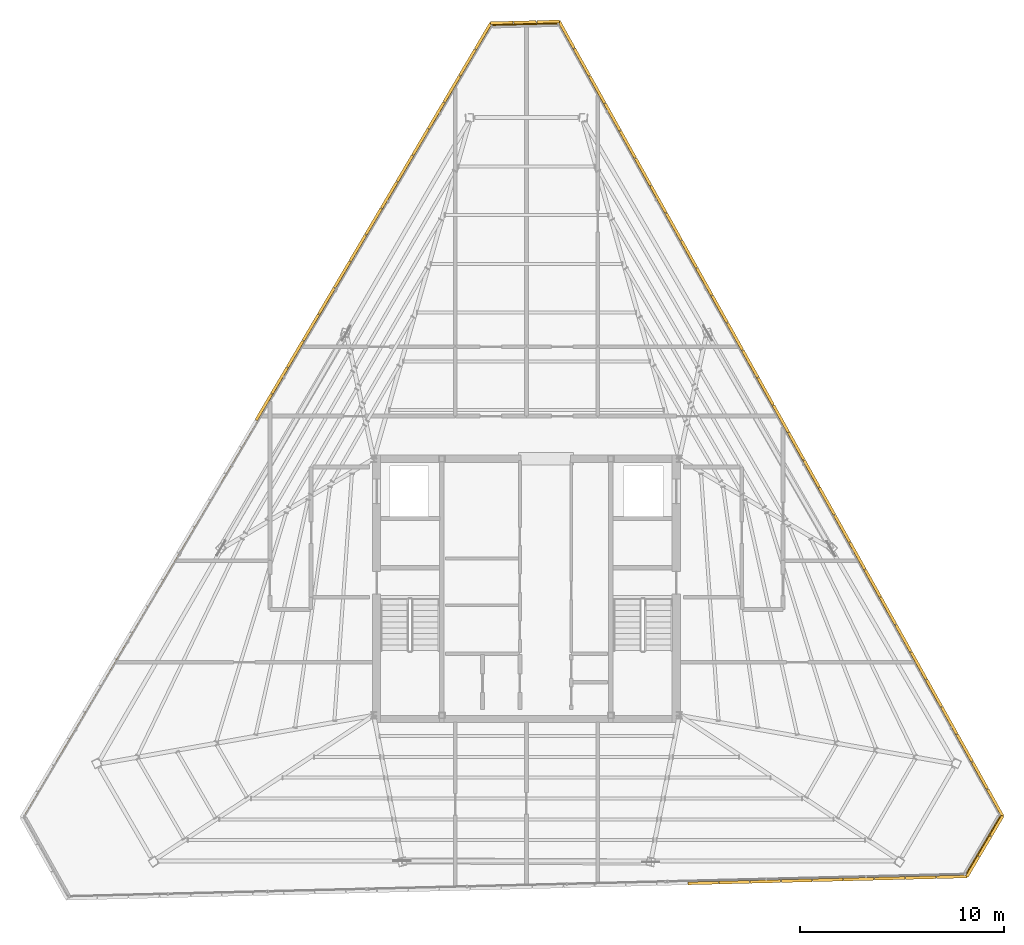
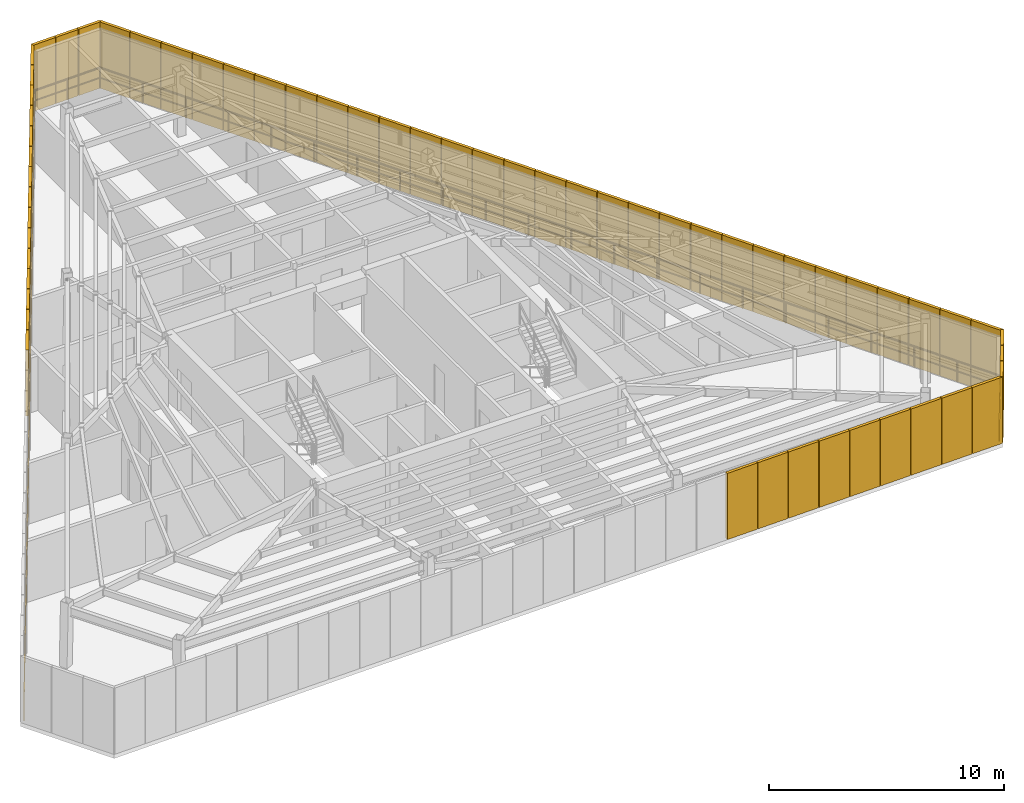
# One storey, part 48 of 48: 59 shading devices, 4 railings.
"""IFC4 building model written with IfcOpenShell, lengths in metres."""

from ifc_helpers import new_model, si_unit, direction, frame, origin, origin_2d, place, context, subcontext, project, spatial, rectangle, extrude, source, transform, mapped, material, layer, layer_set, type_object, type_shapes, element, save


model = new_model("IFC4")

# Units and contexts
model_context = context("Model", 3, precision=1e-05, world=origin(), true_north=direction((0.0, 1.0)))
body_context = subcontext(model_context, "Body", "Model", "MODEL_VIEW")
ifc_project = project(units=[si_unit("LENGTHUNIT", "METRE"), si_unit("AREAUNIT", "SQUARE_METRE"), si_unit("VOLUMEUNIT", "CUBIC_METRE"), si_unit("PLANEANGLEUNIT", "RADIAN"), si_unit("MASSUNIT", "GRAM", prefix="KILO")], contexts=[model_context])

# Site, building, storey
site_placement = place(None, origin())
site = spatial("IfcSite", under=ifc_project, at=site_placement, CompositionType="ELEMENT")
building_placement = place(site_placement, origin())
building = spatial("IfcBuilding", under=site, at=building_placement, Name="Caelisora Broadcast Tower", CompositionType="ELEMENT")
storey_placement = place(building_placement, frame((0.0, 0.0, 300.0)))
storey = spatial("IfcBuildingStorey", under=building, at=storey_placement, Name="L79", CompositionType="ELEMENT", Elevation=300.0)

# Railings
ifc_material_1 = material(Name="Galvanised Steel Safety Guardrail", Category="steel")
ifc_layer_1 = layer(ifc_material_1, 0.048095703125, Name="Galvanised Steel Safety Guardrail")
ifc_layer_set_1 = layer_set([ifc_layer_1], Name="Galvanised Steel Safety Guardrail")
railing_type = type_object("IfcRailingType", Name="GR-1", PredefinedType="GUARDRAIL", material=ifc_layer_set_1)
railing_1_placement = place(storey_placement, frame((39.548095703125, 51.381103515625, 0.0)))
element("IfcRailing", 1, at=railing_1_placement, inside=storey, type_object=railing_type, Name="L79 balustrade GR-1 #01", PredefinedType="GUARDRAIL", context=body_context, shape_type="SweptSolid", body=[
    extrude(rectangle(XDim=0.048095703125, YDim=0.048095703125, at=origin_2d()), frame((0.0, 0.0, 1.076171875), z_axis=(0.487328386617, -0.873218783351, 0.0), x_axis=(0.873218783351, 0.487328386617, 0.0)), (0.0, 0.0, 1.0), 44.58349609375),
    extrude(rectangle(XDim=0.03125, YDim=0.03125, at=origin_2d()), frame((0.0, 0.0, 0.550048828125), z_axis=(0.487328386617, -0.873218783351, 0.0), x_axis=(0.873218783351, 0.487328386617, 0.0)), (0.0, 0.0, 1.0), 44.58349609375),
    extrude(rectangle(XDim=0.0419921875, YDim=0.0419921875, at=origin_2d()), origin(), (0.0, 0.0, 1.0), 1.052001953125),
    extrude(rectangle(XDim=0.0419921875, YDim=0.0419921875, at=origin_2d()), frame((1.03466796875, -1.853759765625, 0.0)), (0.0, 0.0, 1.0), 1.052001953125),
    extrude(rectangle(XDim=0.0419921875, YDim=0.0419921875, at=origin_2d()), frame((2.0693359375, -3.707763671875, 0.0)), (0.0, 0.0, 1.0), 1.052001953125),
    extrude(rectangle(XDim=0.0419921875, YDim=0.0419921875, at=origin_2d()), frame((3.103759765625, -5.5615234375, 0.0)), (0.0, 0.0, 1.0), 1.052001953125),
    extrude(rectangle(XDim=0.0419921875, YDim=0.0419921875, at=origin_2d()), frame((4.138427734375, -7.41552734375, 0.0)), (0.0, 0.0, 1.0), 1.052001953125),
    extrude(rectangle(XDim=0.0419921875, YDim=0.0419921875, at=origin_2d()), frame((5.173095703125, -9.269287109375, 0.0)), (0.0, 0.0, 1.0), 1.052001953125),
    extrude(rectangle(XDim=0.0419921875, YDim=0.0419921875, at=origin_2d()), frame((6.207763671875, -11.123291015625, 0.0)), (0.0, 0.0, 1.0), 1.052001953125),
    extrude(rectangle(XDim=0.0419921875, YDim=0.0419921875, at=origin_2d()), frame((7.2421875, -12.97705078125, 0.0)), (0.0, 0.0, 1.0), 1.052001953125),
    extrude(rectangle(XDim=0.0419921875, YDim=0.0419921875, at=origin_2d()), frame((8.27685546875, -14.830810546875, 0.0)), (0.0, 0.0, 1.0), 1.052001953125),
    extrude(rectangle(XDim=0.0419921875, YDim=0.0419921875, at=origin_2d()), frame((9.3115234375, -16.684814453125, 0.0)), (0.0, 0.0, 1.0), 1.052001953125),
    extrude(rectangle(XDim=0.0419921875, YDim=0.0419921875, at=origin_2d()), frame((10.34619140625, -18.53857421875, 0.0)), (0.0, 0.0, 1.0), 1.052001953125),
    extrude(rectangle(XDim=0.0419921875, YDim=0.0419921875, at=origin_2d()), frame((11.380615234375, -20.392578125, 0.0)), (0.0, 0.0, 1.0), 1.052001953125),
    extrude(rectangle(XDim=0.0419921875, YDim=0.0419921875, at=origin_2d()), frame((12.415283203125, -22.246337890625, 0.0)), (0.0, 0.0, 1.0), 1.052001953125),
    extrude(rectangle(XDim=0.0419921875, YDim=0.0419921875, at=origin_2d()), frame((13.449951171875, -24.100341796875, 0.0)), (0.0, 0.0, 1.0), 1.052001953125),
    extrude(rectangle(XDim=0.0419921875, YDim=0.0419921875, at=origin_2d()), frame((14.484619140625, -25.9541015625, 0.0)), (0.0, 0.0, 1.0), 1.052001953125),
    extrude(rectangle(XDim=0.0419921875, YDim=0.0419921875, at=origin_2d()), frame((15.51904296875, -27.807861328125, 0.0)), (0.0, 0.0, 1.0), 1.052001953125),
    extrude(rectangle(XDim=0.0419921875, YDim=0.0419921875, at=origin_2d()), frame((16.5537109375, -29.661865234375, 0.0)), (0.0, 0.0, 1.0), 1.052001953125),
    extrude(rectangle(XDim=0.0419921875, YDim=0.0419921875, at=origin_2d()), frame((17.58837890625, -31.515625, 0.0)), (0.0, 0.0, 1.0), 1.052001953125),
    extrude(rectangle(XDim=0.0419921875, YDim=0.0419921875, at=origin_2d()), frame((18.623046875, -33.36962890625, 0.0)), (0.0, 0.0, 1.0), 1.052001953125),
    extrude(rectangle(XDim=0.0419921875, YDim=0.0419921875, at=origin_2d()), frame((19.657470703125, -35.223388671875, 0.0)), (0.0, 0.0, 1.0), 1.052001953125),
    extrude(rectangle(XDim=0.0419921875, YDim=0.0419921875, at=origin_2d()), frame((20.692138671875, -37.077392578125, 0.0)), (0.0, 0.0, 1.0), 1.052001953125),
    extrude(rectangle(XDim=0.0419921875, YDim=0.0419921875, at=origin_2d()), frame((21.726806640625, -38.93115234375, 0.0)), (0.0, 0.0, 1.0), 1.052001953125),
])
railing_2_placement = place(storey_placement, frame((61.27490234375, 12.449951171875, 0.0)))
element("IfcRailing", 2, at=railing_2_placement, inside=storey, type_object=railing_type, Name="L79 balustrade GR-1 #02", PredefinedType="GUARDRAIL", context=body_context, shape_type="SweptSolid", body=[
    extrude(rectangle(XDim=0.048095703125, YDim=0.048095703125, at=origin_2d()), frame((0.0, 0.0, 1.076171875), z_axis=(-0.508978632909, -0.860779153582, 0.0), x_axis=(0.860779153582, -0.508978632909, 0.0)), (0.0, 0.0, 1.0), 3.331787109375),
    extrude(rectangle(XDim=0.03125, YDim=0.03125, at=origin_2d()), frame((0.0, 0.0, 0.550048828125), z_axis=(-0.508978632909, -0.860779153582, 0.0), x_axis=(0.860779153582, -0.508978632909, 0.0)), (0.0, 0.0, 1.0), 3.331787109375),
    extrude(rectangle(XDim=0.0419921875, YDim=0.0419921875, at=origin_2d()), origin(), (0.0, 0.0, 1.0), 1.052001953125),
    extrude(rectangle(XDim=0.0419921875, YDim=0.0419921875, at=origin_2d()), frame((-0.847900390625, -1.43408203125, 0.0)), (0.0, 0.0, 1.0), 1.052001953125),
    extrude(rectangle(XDim=0.0419921875, YDim=0.0419921875, at=origin_2d()), frame((-1.69580078125, -2.867919921875, 0.0)), (0.0, 0.0, 1.0), 1.052001953125),
])
railing_3_placement = place(storey_placement, frame((13.302978515625, 12.385986328125, 0.0)))
element("IfcRailing", 3, at=railing_3_placement, inside=storey, type_object=railing_type, Name="L79 balustrade GR-1 #05", PredefinedType="GUARDRAIL", context=body_context, shape_type="SweptSolid", body=[
    extrude(rectangle(XDim=0.048095703125, YDim=0.048095703125, at=origin_2d()), frame((0.0, 0.0, 1.076171875), z_axis=(0.508839209159, 0.860861579595, 0.0), x_axis=(-0.860861579595, 0.508839209159, 0.0)), (0.0, 0.0, 1.0), 45.204833984375),
    extrude(rectangle(XDim=0.03125, YDim=0.03125, at=origin_2d()), frame((0.0, 0.0, 0.550048828125), z_axis=(0.508839209159, 0.860861579595, 0.0), x_axis=(-0.860861579595, 0.508839209159, 0.0)), (0.0, 0.0, 1.0), 45.204833984375),
    extrude(rectangle(XDim=0.0419921875, YDim=0.0419921875, at=origin_2d()), origin(), (0.0, 0.0, 1.0), 1.052001953125),
    extrude(rectangle(XDim=0.0419921875, YDim=0.0419921875, at=origin_2d()), frame((1.09521484375, 1.85302734375, 0.0)), (0.0, 0.0, 1.0), 1.052001953125),
    extrude(rectangle(XDim=0.0419921875, YDim=0.0419921875, at=origin_2d()), frame((2.190673828125, 3.706298828125, 0.0)), (0.0, 0.0, 1.0), 1.052001953125),
    extrude(rectangle(XDim=0.0419921875, YDim=0.0419921875, at=origin_2d()), frame((3.285888671875, 5.559326171875, 0.0)), (0.0, 0.0, 1.0), 1.052001953125),
    extrude(rectangle(XDim=0.0419921875, YDim=0.0419921875, at=origin_2d()), frame((4.38134765625, 7.412353515625, 0.0)), (0.0, 0.0, 1.0), 1.052001953125),
    extrude(rectangle(XDim=0.0419921875, YDim=0.0419921875, at=origin_2d()), frame((5.4765625, 9.265380859375, 0.0)), (0.0, 0.0, 1.0), 1.052001953125),
    extrude(rectangle(XDim=0.0419921875, YDim=0.0419921875, at=origin_2d()), frame((6.572021484375, 11.11865234375, 0.0)), (0.0, 0.0, 1.0), 1.052001953125),
    extrude(rectangle(XDim=0.0419921875, YDim=0.0419921875, at=origin_2d()), frame((7.667236328125, 12.9716796875, 0.0)), (0.0, 0.0, 1.0), 1.052001953125),
    extrude(rectangle(XDim=0.0419921875, YDim=0.0419921875, at=origin_2d()), frame((8.7626953125, 14.82470703125, 0.0)), (0.0, 0.0, 1.0), 1.052001953125),
    extrude(rectangle(XDim=0.0419921875, YDim=0.0419921875, at=origin_2d()), frame((9.85791015625, 16.677978515625, 0.0)), (0.0, 0.0, 1.0), 1.052001953125),
    extrude(rectangle(XDim=0.0419921875, YDim=0.0419921875, at=origin_2d()), frame((10.953369140625, 18.531005859375, 0.0)), (0.0, 0.0, 1.0), 1.052001953125),
    extrude(rectangle(XDim=0.0419921875, YDim=0.0419921875, at=origin_2d()), frame((12.048583984375, 20.384033203125, 0.0)), (0.0, 0.0, 1.0), 1.052001953125),
    extrude(rectangle(XDim=0.0419921875, YDim=0.0419921875, at=origin_2d()), frame((13.14404296875, 22.237060546875, 0.0)), (0.0, 0.0, 1.0), 1.052001953125),
    extrude(rectangle(XDim=0.0419921875, YDim=0.0419921875, at=origin_2d()), frame((14.2392578125, 24.09033203125, 0.0)), (0.0, 0.0, 1.0), 1.052001953125),
    extrude(rectangle(XDim=0.0419921875, YDim=0.0419921875, at=origin_2d()), frame((15.334716796875, 25.943359375, 0.0)), (0.0, 0.0, 1.0), 1.052001953125),
    extrude(rectangle(XDim=0.0419921875, YDim=0.0419921875, at=origin_2d()), frame((16.429931640625, 27.79638671875, 0.0)), (0.0, 0.0, 1.0), 1.052001953125),
    extrude(rectangle(XDim=0.0419921875, YDim=0.0419921875, at=origin_2d()), frame((17.525390625, 29.649658203125, 0.0)), (0.0, 0.0, 1.0), 1.052001953125),
    extrude(rectangle(XDim=0.0419921875, YDim=0.0419921875, at=origin_2d()), frame((18.62060546875, 31.502685546875, 0.0)), (0.0, 0.0, 1.0), 1.052001953125),
    extrude(rectangle(XDim=0.0419921875, YDim=0.0419921875, at=origin_2d()), frame((19.716064453125, 33.355712890625, 0.0)), (0.0, 0.0, 1.0), 1.052001953125),
    extrude(rectangle(XDim=0.0419921875, YDim=0.0419921875, at=origin_2d()), frame((20.811279296875, 35.208740234375, 0.0)), (0.0, 0.0, 1.0), 1.052001953125),
    extrude(rectangle(XDim=0.0419921875, YDim=0.0419921875, at=origin_2d()), frame((21.90673828125, 37.06201171875, 0.0)), (0.0, 0.0, 1.0), 1.052001953125),
    extrude(rectangle(XDim=0.0419921875, YDim=0.0419921875, at=origin_2d()), frame((23.001953125, 38.9150390625, 0.0)), (0.0, 0.0, 1.0), 1.052001953125),
])
railing_4_placement = place(storey_placement, frame((36.304931640625, 51.301025390625, 0.0)))
element("IfcRailing", 4, at=railing_4_placement, inside=storey, type_object=railing_type, Name="L79 balustrade GR-1 #06", PredefinedType="GUARDRAIL", context=body_context, shape_type="SweptSolid", body=[
    extrude(rectangle(XDim=0.048095703125, YDim=0.048095703125, at=origin_2d()), frame((0.0, 0.0, 1.076171875), z_axis=(0.999695307732, 0.024683834759, 0.0), x_axis=(-0.024683834759, 0.999695307732, 0.0)), (0.0, 0.0, 1.0), 3.244140625),
    extrude(rectangle(XDim=0.03125, YDim=0.03125, at=origin_2d()), frame((0.0, 0.0, 0.550048828125), z_axis=(0.999695307732, 0.024683834759, 0.0), x_axis=(-0.024683834759, 0.999695307732, 0.0)), (0.0, 0.0, 1.0), 3.244140625),
    extrude(rectangle(XDim=0.0419921875, YDim=0.0419921875, at=origin_2d()), origin(), (0.0, 0.0, 1.0), 1.052001953125),
    extrude(rectangle(XDim=0.0419921875, YDim=0.0419921875, at=origin_2d()), frame((1.62158203125, 0.0400390625, 0.0)), (0.0, 0.0, 1.0), 1.052001953125),
    extrude(rectangle(XDim=0.0419921875, YDim=0.0419921875, at=origin_2d()), frame((3.2431640625, 0.080078125, 0.0)), (0.0, 0.0, 1.0), 1.052001953125),
])

# Shading devices
ifc_material_2 = material(Name="Anodised Terracotta Aluminium Acoustic Louvre", Category="aluminium")
ifc_layer_2 = layer(ifc_material_2, 0.139892578125, Name="Anodised Terracotta Aluminium Acoustic Louvre")
ifc_layer_set_2 = layer_set([ifc_layer_2], Name="Anodised Terracotta Aluminium Acoustic Louvre")
shading_device_type = type_object("IfcShadingDeviceType", Name="LV-1", PredefinedType="JALOUSIE", material=ifc_layer_set_2)
shared_shape_1 = source(origin(), body_context, "Body", "SweptSolid", [
    extrude(rectangle(XDim=1.105224609375, YDim=0.139892578125, at=origin_2d()), origin(), (0.0, 0.0, 1.0), 3.43994140625),
])
for number, where, z_axis, x_axis, name in (
    (5, (39.0625, 51.468994140625, -0.02001953125), (0.0, 0.0, 1.0), (-0.999697210335, -0.024606658605, 0.0), "L79 crown acoustic louvre #001"),
    (6, (37.927490234375, 51.44091796875, -0.02001953125), (0.0, 0.0, 1.0), (-0.999697210335, -0.024606658605, 0.0), "L79 crown acoustic louvre #002"),
    (7, (36.79248046875, 51.4130859375, -0.02001953125), (0.0, 0.0, 1.0), (-0.999697210335, -0.024606658605, 0.0), "L79 crown acoustic louvre #003"),
):
    element("IfcShadingDevice", number, at=place(storey_placement, frame(where, z_axis=z_axis, x_axis=x_axis)), inside=storey, type_object=shading_device_type, Name=name, PredefinedType="JALOUSIE", context=body_context, shape_type="MappedRepresentation", body=[
        mapped(shared_shape_1, transform((0.0, 0.0, 0.0), scale=1.0)),
    ])
shared_shape_2 = source(origin(), body_context, "Body", "SweptSolid", [
    extrude(rectangle(XDim=1.482177734375, YDim=0.139892578125, at=origin_2d()), origin(), (0.0, 0.0, 1.0), 3.43994140625),
])
for number, where, z_axis, x_axis, name in (
    (8, (35.873779296875, 50.767822265625, -0.02001953125), (0.0, 0.0, 1.0), (-0.508891180174, -0.860830858381, 0.0), "L79 crown acoustic louvre #004"),
    (9, (35.104248046875, 49.466064453125, -0.02001953125), (0.0, 0.0, 1.0), (-0.508891180174, -0.860830858381, 0.0), "L79 crown acoustic louvre #005"),
    (10, (34.3349609375, 48.164306640625, -0.02001953125), (0.0, 0.0, 1.0), (-0.508891180174, -0.860830858381, 0.0), "L79 crown acoustic louvre #006"),
    (11, (33.5654296875, 46.86279296875, -0.02001953125), (0.0, 0.0, 1.0), (-0.508891180174, -0.860830858381, 0.0), "L79 crown acoustic louvre #007"),
    (12, (32.796142578125, 45.56103515625, -0.02001953125), (0.0, 0.0, 1.0), (-0.508891180174, -0.860830858381, 0.0), "L79 crown acoustic louvre #008"),
    (13, (32.026611328125, 44.25927734375, -0.02001953125), (0.0, 0.0, 1.0), (-0.508891180174, -0.860830858381, 0.0), "L79 crown acoustic louvre #009"),
    (14, (31.25732421875, 42.95751953125, -0.02001953125), (0.0, 0.0, 1.0), (-0.508891180174, -0.860830858381, 0.0), "L79 crown acoustic louvre #010"),
    (15, (30.48779296875, 41.656005859375, -0.02001953125), (0.0, 0.0, 1.0), (-0.508891180174, -0.860830858381, 0.0), "L79 crown acoustic louvre #011"),
    (16, (29.718505859375, 40.354248046875, -0.02001953125), (0.0, 0.0, 1.0), (-0.508891180174, -0.860830858381, 0.0), "L79 crown acoustic louvre #012"),
    (17, (28.94921875, 39.052490234375, -0.02001953125), (0.0, 0.0, 1.0), (-0.508891180174, -0.860830858381, 0.0), "L79 crown acoustic louvre #013"),
    (18, (28.1796875, 37.750732421875, -0.02001953125), (0.0, 0.0, 1.0), (-0.508891180174, -0.860830858381, 0.0), "L79 crown acoustic louvre #014"),
    (19, (27.410400390625, 36.44921875, -0.02001953125), (0.0, 0.0, 1.0), (-0.508891180174, -0.860830858381, 0.0), "L79 crown acoustic louvre #015"),
    (20, (26.640869140625, 35.1474609375, -0.02001953125), (0.0, 0.0, 1.0), (-0.508891180174, -0.860830858381, 0.0), "L79 crown acoustic louvre #016"),
    (21, (25.87158203125, 33.845703125, -0.02001953125), (0.0, 0.0, 1.0), (-0.508891180174, -0.860830858381, 0.0), "L79 crown acoustic louvre #017"),
    (22, (25.10205078125, 32.5439453125, -0.02001953125), (0.0, 0.0, 1.0), (-0.508891180174, -0.860830858381, 0.0), "L79 crown acoustic louvre #018"),
):
    element("IfcShadingDevice", number, at=place(storey_placement, frame(where, z_axis=z_axis, x_axis=x_axis)), inside=storey, type_object=shading_device_type, Name=name, PredefinedType="JALOUSIE", context=body_context, shape_type="MappedRepresentation", body=[
        mapped(shared_shape_2, transform((0.0, 0.0, 0.0), scale=1.0)),
    ])
shared_shape_3 = source(origin(), body_context, "Body", "SweptSolid", [
    extrude(rectangle(XDim=1.512939453125, YDim=0.139892578125, at=origin_2d()), origin(), (0.0, 0.0, 1.0), 3.43994140625),
])
for number, where, z_axis, x_axis, name in (
    (23, (61.025146484375, 13.102294921875, -0.02001953125), (0.0, 0.0, 1.0), (-0.487402531354, 0.87317740032, 0.0), "L79 crown acoustic louvre #069"),
    (24, (60.273193359375, 14.44970703125, -0.02001953125), (0.0, 0.0, 1.0), (-0.487402531354, 0.87317740032, 0.0), "L79 crown acoustic louvre #070"),
    (25, (59.521240234375, 15.797119140625, -0.02001953125), (0.0, 0.0, 1.0), (-0.487402531354, 0.87317740032, 0.0), "L79 crown acoustic louvre #071"),
    (26, (58.769287109375, 17.14453125, -0.02001953125), (0.0, 0.0, 1.0), (-0.487402531354, 0.87317740032, 0.0), "L79 crown acoustic louvre #072"),
    (27, (58.01708984375, 18.491943359375, -0.02001953125), (0.0, 0.0, 1.0), (-0.487402531354, 0.87317740032, 0.0), "L79 crown acoustic louvre #073"),
    (28, (57.265380859375, 19.83935546875, -0.02001953125), (0.0, 0.0, 1.0), (-0.487402531354, 0.87317740032, 0.0), "L79 crown acoustic louvre #074"),
    (29, (56.51318359375, 21.186767578125, -0.02001953125), (0.0, 0.0, 1.0), (-0.487402531354, 0.87317740032, 0.0), "L79 crown acoustic louvre #075"),
    (30, (55.76123046875, 22.5341796875, -0.02001953125), (0.0, 0.0, 1.0), (-0.487402531354, 0.87317740032, 0.0), "L79 crown acoustic louvre #076"),
    (31, (55.009521484375, 23.881591796875, -0.02001953125), (0.0, 0.0, 1.0), (-0.487402531354, 0.87317740032, 0.0), "L79 crown acoustic louvre #077"),
    (32, (54.25732421875, 25.22900390625, -0.02001953125), (0.0, 0.0, 1.0), (-0.487402531354, 0.87317740032, 0.0), "L79 crown acoustic louvre #078"),
    (33, (53.50537109375, 26.576416015625, -0.02001953125), (0.0, 0.0, 1.0), (-0.487402531354, 0.87317740032, 0.0), "L79 crown acoustic louvre #079"),
    (34, (52.75341796875, 27.923828125, -0.02001953125), (0.0, 0.0, 1.0), (-0.487402531354, 0.87317740032, 0.0), "L79 crown acoustic louvre #080"),
    (35, (52.00146484375, 29.271240234375, -0.02001953125), (0.0, 0.0, 1.0), (-0.487402531354, 0.87317740032, 0.0), "L79 crown acoustic louvre #081"),
    (36, (51.24951171875, 30.61865234375, -0.02001953125), (0.0, 0.0, 1.0), (-0.487402531354, 0.87317740032, 0.0), "L79 crown acoustic louvre #082"),
    (37, (50.49755859375, 31.966064453125, -0.02001953125), (0.0, 0.0, 1.0), (-0.487402531354, 0.87317740032, 0.0), "L79 crown acoustic louvre #083"),
    (38, (49.74560546875, 33.3134765625, -0.02001953125), (0.0, 0.0, 1.0), (-0.487402531354, 0.87317740032, 0.0), "L79 crown acoustic louvre #084"),
    (39, (48.99365234375, 34.660888671875, -0.02001953125), (0.0, 0.0, 1.0), (-0.487402531354, 0.87317740032, 0.0), "L79 crown acoustic louvre #085"),
    (40, (48.24169921875, 36.00830078125, -0.02001953125), (0.0, 0.0, 1.0), (-0.487402531354, 0.87317740032, 0.0), "L79 crown acoustic louvre #086"),
    (41, (47.48974609375, 37.355712890625, -0.02001953125), (0.0, 0.0, 1.0), (-0.487402531354, 0.87317740032, 0.0), "L79 crown acoustic louvre #087"),
    (42, (46.73779296875, 38.703125, -0.02001953125), (0.0, 0.0, 1.0), (-0.487402531354, 0.87317740032, 0.0), "L79 crown acoustic louvre #088"),
    (43, (45.98583984375, 40.050537109375, -0.02001953125), (0.0, 0.0, 1.0), (-0.487402531354, 0.87317740032, 0.0), "L79 crown acoustic louvre #089"),
    (44, (45.23388671875, 41.39794921875, -0.02001953125), (0.0, 0.0, 1.0), (-0.487402531354, 0.87317740032, 0.0), "L79 crown acoustic louvre #090"),
    (45, (44.481689453125, 42.745361328125, -0.02001953125), (0.0, 0.0, 1.0), (-0.487402531354, 0.87317740032, 0.0), "L79 crown acoustic louvre #091"),
    (46, (43.72998046875, 44.0927734375, -0.02001953125), (0.0, 0.0, 1.0), (-0.487402531354, 0.87317740032, 0.0), "L79 crown acoustic louvre #092"),
    (47, (42.977783203125, 45.440185546875, -0.02001953125), (0.0, 0.0, 1.0), (-0.487402531354, 0.87317740032, 0.0), "L79 crown acoustic louvre #093"),
    (48, (42.22607421875, 46.78759765625, -0.02001953125), (0.0, 0.0, 1.0), (-0.487402531354, 0.87317740032, 0.0), "L79 crown acoustic louvre #094"),
    (49, (41.47412109375, 48.135009765625, -0.02001953125), (0.0, 0.0, 1.0), (-0.487402531354, 0.87317740032, 0.0), "L79 crown acoustic louvre #095"),
    (50, (40.721923828125, 49.482421875, -0.02001953125), (0.0, 0.0, 1.0), (-0.487402531354, 0.87317740032, 0.0), "L79 crown acoustic louvre #096"),
    (51, (39.97021484375, 50.829833984375, -0.02001953125), (0.0, 0.0, 1.0), (-0.487402531354, 0.87317740032, 0.0), "L79 crown acoustic louvre #097"),
):
    element("IfcShadingDevice", number, at=place(storey_placement, frame(where, z_axis=z_axis, x_axis=x_axis)), inside=storey, type_object=shading_device_type, Name=name, PredefinedType="JALOUSIE", context=body_context, shape_type="MappedRepresentation", body=[
        mapped(shared_shape_3, transform((0.0, 0.0, 0.0), scale=1.0)),
    ])
shared_shape_4 = source(origin(), body_context, "Body", "SweptSolid", [
    extrude(rectangle(XDim=1.49658203125, YDim=0.139892578125, at=origin_2d()), origin(), (0.0, 0.0, 1.0), 3.43994140625),
])
for number, where, z_axis, x_axis, name in (
    (52, (46.685791015625, 9.162109375, -0.02001953125), (0.0, 0.0, 1.0), (0.999692900437, 0.024781138308, 0.0), "L79 crown acoustic louvre #057"),
    (53, (48.2119140625, 9.199951171875, -0.02001953125), (0.0, 0.0, 1.0), (0.999692900437, 0.024781138308, 0.0), "L79 crown acoustic louvre #058"),
    (54, (49.73828125, 9.23779296875, -0.02001953125), (0.0, 0.0, 1.0), (0.999692900437, 0.024781138308, 0.0), "L79 crown acoustic louvre #059"),
    (55, (51.264404296875, 9.275634765625, -0.02001953125), (0.0, 0.0, 1.0), (0.999692900437, 0.024781138308, 0.0), "L79 crown acoustic louvre #060"),
    (56, (52.790771484375, 9.313720703125, -0.02001953125), (0.0, 0.0, 1.0), (0.999692900437, 0.024781138308, 0.0), "L79 crown acoustic louvre #061"),
    (57, (54.31689453125, 9.3515625, -0.02001953125), (0.0, 0.0, 1.0), (0.999692900437, 0.024781138308, 0.0), "L79 crown acoustic louvre #062"),
    (58, (55.84326171875, 9.389404296875, -0.02001953125), (0.0, 0.0, 1.0), (0.999692900437, 0.024781138308, 0.0), "L79 crown acoustic louvre #063"),
    (59, (57.36962890625, 9.42724609375, -0.02001953125), (0.0, 0.0, 1.0), (0.999692900437, 0.024781138308, 0.0), "L79 crown acoustic louvre #064"),
    (60, (58.89599609375, 9.465087890625, -0.02001953125), (0.0, 0.0, 1.0), (0.999692900437, 0.024781138308, 0.0), "L79 crown acoustic louvre #065"),
):
    element("IfcShadingDevice", number, at=place(storey_placement, frame(where, z_axis=z_axis, x_axis=x_axis)), inside=storey, type_object=shading_device_type, Name=name, PredefinedType="JALOUSIE", context=body_context, shape_type="MappedRepresentation", body=[
        mapped(shared_shape_4, transform((0.0, 0.0, 0.0), scale=1.0)),
    ])
shared_shape_5 = source(origin(), body_context, "Body", "SweptSolid", [
    extrude(rectangle(XDim=1.13330078125, YDim=0.139892578125, at=origin_2d()), origin(), (0.0, 0.0, 1.0), 3.43994140625),
])
type_shapes(shading_device_type, [shared_shape_1, shared_shape_2, shared_shape_3, shared_shape_4, shared_shape_5])
for number, where, z_axis, x_axis, name in (
    (61, (59.921630859375, 9.965087890625, -0.02001953125), (0.0, 0.0, 1.0), (0.508891180174, 0.860830858381, 0.0), "L79 crown acoustic louvre #066"),
    (62, (60.513671875, 10.96630859375, -0.02001953125), (0.0, 0.0, 1.0), (0.508891180174, 0.860830858381, 0.0), "L79 crown acoustic louvre #067"),
    (63, (61.105712890625, 11.9677734375, -0.02001953125), (0.0, 0.0, 1.0), (0.508891180174, 0.860830858381, 0.0), "L79 crown acoustic louvre #068"),
):
    element("IfcShadingDevice", number, at=place(storey_placement, frame(where, z_axis=z_axis, x_axis=x_axis)), inside=storey, type_object=shading_device_type, Name=name, PredefinedType="JALOUSIE", context=body_context, shape_type="MappedRepresentation", body=[
        mapped(shared_shape_5, transform((0.0, 0.0, 0.0), scale=1.0)),
    ])

save(model, "model.ifc")
